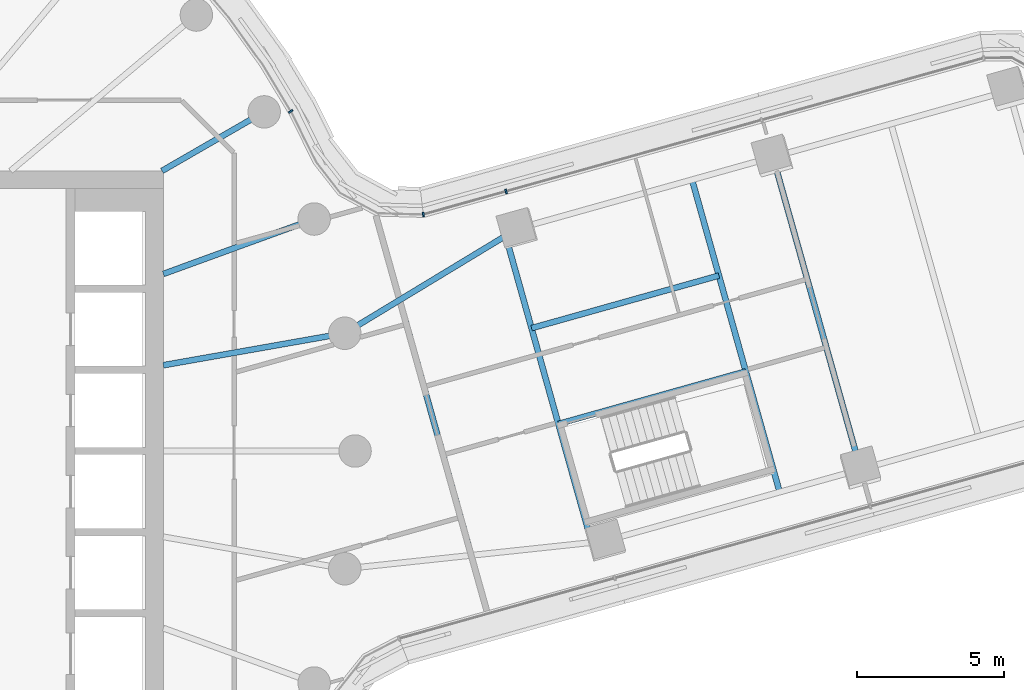
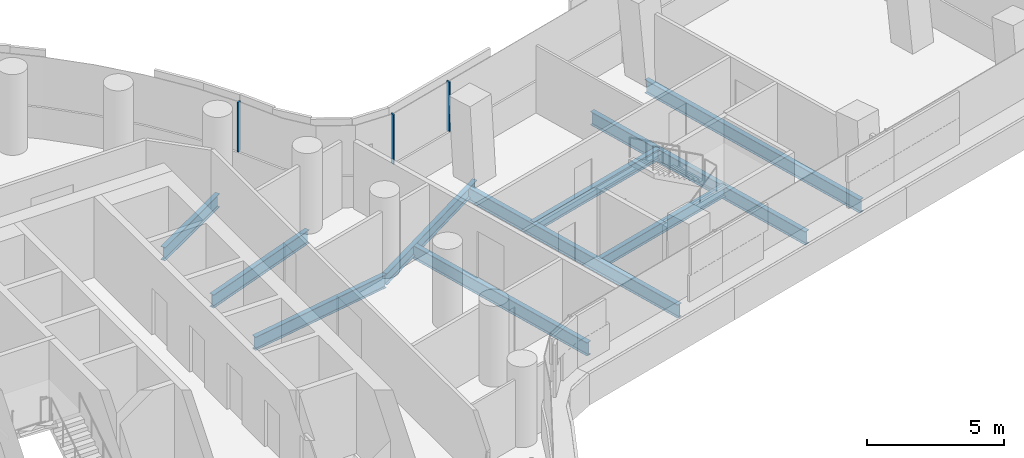
# One storey, part 11 of 30: 10 beams, 3 members, 2 elements without a shape of their own.
"""IFC4 building model written with IfcOpenShell, lengths in metres."""

from ifc_helpers import new_model, si_unit, direction, frame, origin, origin_2d, place, context, subcontext, project, spatial, rectangle, i_section, extrude, material, layer, layer_set, material_profile, profile_set, type_object, element, aggregate, save


model = new_model("IFC4")

# Units and contexts
model_context = context("Model", 3, precision=1e-05, world=origin(), true_north=direction((0.0, 1.0)))
body_context = subcontext(model_context, "Body", "Model", "MODEL_VIEW")
ifc_project = project(units=[si_unit("LENGTHUNIT", "METRE"), si_unit("AREAUNIT", "SQUARE_METRE"), si_unit("VOLUMEUNIT", "CUBIC_METRE"), si_unit("PLANEANGLEUNIT", "RADIAN"), si_unit("MASSUNIT", "GRAM", prefix="KILO")], contexts=[model_context])

# Site, building, storey
site_placement = place(None, origin())
site = spatial("IfcSite", under=ifc_project, at=site_placement, CompositionType="ELEMENT")
building_placement = place(site_placement, origin())
building = spatial("IfcBuilding", under=site, at=building_placement, Name="Tamarind Cross Interchange Tower", CompositionType="ELEMENT")
storey_placement = place(building_placement, frame((0.0, 0.0, 91.0)))
storey = spatial("IfcBuildingStorey", under=building, at=storey_placement, Name="L21", CompositionType="ELEMENT", Elevation=91.0)

# Beams
ifc_material_1 = material(Name="Steel Q355B", Category="steel")
ifc_material_profile_1 = material_profile(ifc_material_1, i_section(OverallWidth=0.198974609375, OverallDepth=0.49609375, WebThickness=0.009033203125, FlangeThickness=0.013916015625, FilletRadius=0.012939453125, at=origin_2d()), Name="HN 496x199x9x14")
ifc_profile_set_1 = profile_set([ifc_material_profile_1], Name="Steel Q355B")
beam_type_1 = type_object("IfcBeamType", Name="Composite beam HN 496x199x9x14 Q355B", PredefinedType="BEAM", material=ifc_profile_set_1)
beam_1_placement = place(storey_placement, frame((28.505615234375, 7.53759765625, -0.387939453125), z_axis=(-0.855506732579, -0.517791686406, 0.0), x_axis=(0.517791686406, -0.855506732579, 0.0)))
element("IfcBeam", 1, at=beam_1_placement, inside=storey, type_object=beam_type_1, Name="Beam E-linkep", PredefinedType="BEAM", context=body_context, shape_type="SweptSolid", body=[
    extrude(i_section(OverallWidth=0.198974609375, OverallDepth=0.49609375, WebThickness=0.009033203125, FlangeThickness=0.013916015625, FilletRadius=0.012939453125, at=origin_2d()), origin(), (0.0, 0.0, 1.0), 6.843994140625),
])
for number, where, z_axis, x_axis, name in (
    (2, (29.895751953125, 0.9169921875, -0.387939453125), (0.962820972304, 0.270140288168, 0.0), (-0.270140288168, 0.962820972304, 0.0), "Beam E-tr1"),
    (3, (28.984130859375, 4.16650390625, -0.387939453125), (0.962820972304, 0.270140288168, 0.0), (-0.270140288168, 0.962820972304, 0.0), "Beam E-stripp"),
):
    element("IfcBeam", number, at=place(storey_placement, frame(where, z_axis=z_axis, x_axis=x_axis)), inside=storey, type_object=beam_type_1, Name=name, PredefinedType="BEAM", context=body_context, shape_type="SweptSolid", body=[
        extrude(i_section(OverallWidth=0.198974609375, OverallDepth=0.49609375, WebThickness=0.009033203125, FlangeThickness=0.013916015625, FilletRadius=0.012939453125, at=origin_2d()), origin(), (0.0, 0.0, 1.0), 6.60009765625),
    ])
ifc_material_profile_2 = material_profile(ifc_material_1, i_section(OverallWidth=0.198974609375, OverallDepth=0.595947265625, WebThickness=0.010009765625, FlangeThickness=0.014892578125, FilletRadius=0.012939453125, at=origin_2d()), Name="HN 596x199x10x15")
ifc_profile_set_2 = profile_set([ifc_material_profile_2], Name="Steel Q355B")
beam_type_2 = type_object("IfcBeamType", Name="Composite beam HN 596x199x10x15 Q355B", PredefinedType="BEAM", material=ifc_profile_set_2)
beam_2_placement = place(storey_placement, frame((22.650634765625, 3.993896484375, -0.43798828125), z_axis=(-0.984809127561, -0.173640382036, 0.0), x_axis=(0.173640382036, -0.984809127561, 0.0)))
element("IfcBeam", 4, at=beam_2_placement, inside=storey, type_object=beam_type_2, Name="Beam HH01", PredefinedType="BEAM", context=body_context, shape_type="SweptSolid", body=[
    extrude(i_section(OverallWidth=0.198974609375, OverallDepth=0.595947265625, WebThickness=0.010009765625, FlangeThickness=0.014892578125, FilletRadius=0.012939453125, at=origin_2d()), origin(), (0.0, 0.0, 1.0), 6.24560546875),
])
beam_3_placement = place(storey_placement, frame((21.613037109375, 7.866455078125, -0.43798828125), z_axis=(-0.939701685589, -0.341995236956, 0.0), x_axis=(0.341995236956, -0.939701685589, 0.0)))
element("IfcBeam", 5, at=beam_3_placement, inside=storey, type_object=beam_type_2, Name="Beam HH02", PredefinedType="BEAM", context=body_context, shape_type="SweptSolid", body=[
    extrude(i_section(OverallWidth=0.198974609375, OverallDepth=0.595947265625, WebThickness=0.010009765625, FlangeThickness=0.014892578125, FilletRadius=0.012939453125, at=origin_2d()), origin(), (0.0, 0.0, 1.0), 5.441162109375),
])
beam_4_placement = place(storey_placement, frame((19.918701171875, 11.5, -0.43798828125), z_axis=(-0.866026010844, -0.49999894854, 0.0), x_axis=(0.49999894854, -0.866026010844, 0.0)))
element("IfcBeam", 6, at=beam_4_placement, inside=storey, type_object=beam_type_2, Name="Beam HH03", PredefinedType="BEAM", context=body_context, shape_type="SweptSolid", body=[
    extrude(i_section(OverallWidth=0.198974609375, OverallDepth=0.595947265625, WebThickness=0.010009765625, FlangeThickness=0.014892578125, FilletRadius=0.012939453125, at=origin_2d()), origin(), (0.0, 0.0, 1.0), 4.0),
])
ifc_material_profile_3 = material_profile(ifc_material_1, i_section(OverallWidth=0.199951171875, OverallDepth=0.60009765625, WebThickness=0.010986328125, FlangeThickness=0.01708984375, FilletRadius=0.012939453125, at=origin_2d()), Name="HN 600x200x11x17")
ifc_profile_set_3 = profile_set([ifc_material_profile_3], Name="Steel Q355B")
beam_type_3 = type_object("IfcBeamType", Name="Composite beam HN 600x200x11x17 Q355B", PredefinedType="BEAM", material=ifc_profile_set_3)
beam_5_placement = place(storey_placement, frame((31.0234375, -3.101806640625, -0.43994140625), z_axis=(-0.27013469552, 0.962822541425, 0.0), x_axis=(-0.962822541425, -0.27013469552, 0.0)))
element("IfcBeam", 7, at=beam_5_placement, inside=storey, type_object=beam_type_3, Name="Beam E-x298", PredefinedType="BEAM", context=body_context, shape_type="SweptSolid", body=[
    extrude(i_section(OverallWidth=0.199951171875, OverallDepth=0.60009765625, WebThickness=0.010986328125, FlangeThickness=0.01708984375, FilletRadius=0.012939453125, at=origin_2d()), origin(), (0.0, 0.0, 1.0), 10.799072265625),
])
for number, where, z_axis, x_axis, name in (
    (8, (37.3984375, -1.39208984375, -0.43994140625), (-0.27013042003, 0.962823740969, 0.0), (-0.962823740969, -0.27013042003, 0.0), "Beam E-x364"),
    (9, (40.142578125, -0.622314453125, -0.43994140625), (-0.27013042003, 0.962823740969, 0.0), (-0.962823740969, -0.27013042003, 0.0), "Beam E-x393"),
):
    element("IfcBeam", number, at=place(storey_placement, frame(where, z_axis=z_axis, x_axis=x_axis)), inside=storey, type_object=beam_type_3, Name=name, PredefinedType="BEAM", context=body_context, shape_type="SweptSolid", body=[
        extrude(i_section(OverallWidth=0.199951171875, OverallDepth=0.60009765625, WebThickness=0.010986328125, FlangeThickness=0.01708984375, FilletRadius=0.012939453125, at=origin_2d()), origin(), (0.0, 0.0, 1.0), 11.0),
    ])
beam_6_placement = place(storey_placement, frame((26.93896484375, -3.536865234375, -0.43994140625), z_axis=(-0.270109332401, 0.962829657078, 0.0), x_axis=(-0.962829657078, -0.270109332401, 0.0)))
element("IfcBeam", 10, at=beam_6_placement, inside=storey, type_object=beam_type_3, Name="Beam E-x258", PredefinedType="BEAM", context=body_context, shape_type="SweptSolid", body=[
    extrude(i_section(OverallWidth=0.199951171875, OverallDepth=0.60009765625, WebThickness=0.010986328125, FlangeThickness=0.01708984375, FilletRadius=0.012939453125, at=origin_2d()), origin(), (0.0, 0.0, 1.0), 8.99072265625),
])

# Curtain wall, member
ifc_material_2 = material(Name="Aluminium 6063-T6", Category="aluminium")
ifc_layer = layer(ifc_material_2, 0.159912109375)
ifc_layer_set = layer_set([ifc_layer], Name="Aluminium 6063-T6")
curtain_wall_type = type_object("IfcCurtainWallType", Name="Office curtain wall, 9.0 m bays", PredefinedType="NOTDEFINED", material=ifc_layer_set)
curtain_wall_1_placement = place(storey_placement, origin())
curtain_wall_1 = element("IfcCurtainWall", 11, at=curtain_wall_1_placement, inside=storey, type_object=curtain_wall_type, Name="CWS-L21-05", PredefinedType="NOTDEFINED")
ifc_material_profile_4 = material_profile(ifc_material_2, rectangle(XDim=0.06005859375, YDim=0.159912109375, at=origin_2d()), Name="Mullion CW1")
ifc_profile_set_4 = profile_set([ifc_material_profile_4], Name="Aluminium 6063-T6")
member_type = type_object("IfcMemberType", Name="Mullion CW1", PredefinedType="MULLION", material=ifc_profile_set_4)
member_1_placement = place(storey_placement, frame((28.11962890625, 8.802978515625, 1.39990234375), z_axis=(0.0, 0.0, 1.0), x_axis=(-0.963187452767, -0.26883067316, 0.0)))
member_1 = element("IfcMember", 12, at=member_1_placement, type_object=member_type, Name="CWM-L21-05-02", PredefinedType="MULLION", context=body_context, shape_type="SweptSolid", body=[
    extrude(rectangle(XDim=0.06005859375, YDim=0.159912109375, at=origin_2d()), origin(), (0.0, 0.0, 1.0), 2.210205078125),
])
aggregate(curtain_wall_1, [member_1])

# Curtain wall, members
curtain_wall_2_placement = place(storey_placement, origin())
curtain_wall_2 = element("IfcCurtainWall", 13, at=curtain_wall_2_placement, inside=storey, type_object=curtain_wall_type, Name="CWS-L21-06", PredefinedType="NOTDEFINED")
member_2_placement = place(storey_placement, frame((25.31640625, 8.020751953125, 1.39990234375), z_axis=(0.0, 0.0, 1.0), x_axis=(-0.992598872251, -0.121439197982, 0.0)))
member_2 = element("IfcMember", 14, at=member_2_placement, type_object=member_type, Name="CWM-L21-06-00", PredefinedType="MULLION", context=body_context, shape_type="SweptSolid", body=[
    extrude(rectangle(XDim=0.06005859375, YDim=0.159912109375, at=origin_2d()), origin(), (0.0, 0.0, 1.0), 2.210205078125),
])
member_3_placement = place(storey_placement, frame((20.8173828125, 11.517578125, 1.39990234375), z_axis=(0.0, 0.0, 1.0), x_axis=(-0.515577308909, 0.856843065292, 0.0)))
member_3 = element("IfcMember", 15, at=member_3_placement, type_object=member_type, Name="CWM-L21-06-01", PredefinedType="MULLION", context=body_context, shape_type="SweptSolid", body=[
    extrude(rectangle(XDim=0.06005859375, YDim=0.159912109375, at=origin_2d()), origin(), (0.0, 0.0, 1.0), 2.210205078125),
])
aggregate(curtain_wall_2, [member_2, member_3])

save(model, "model.ifc")
